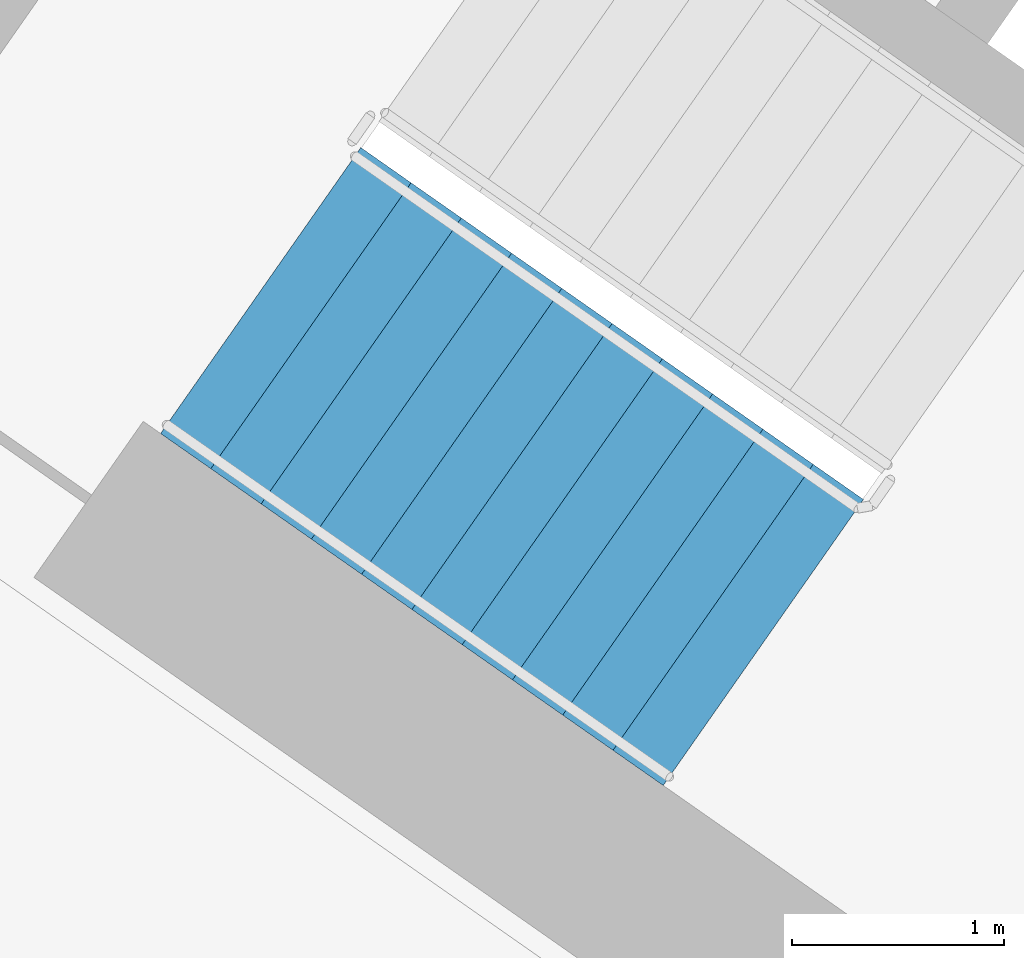
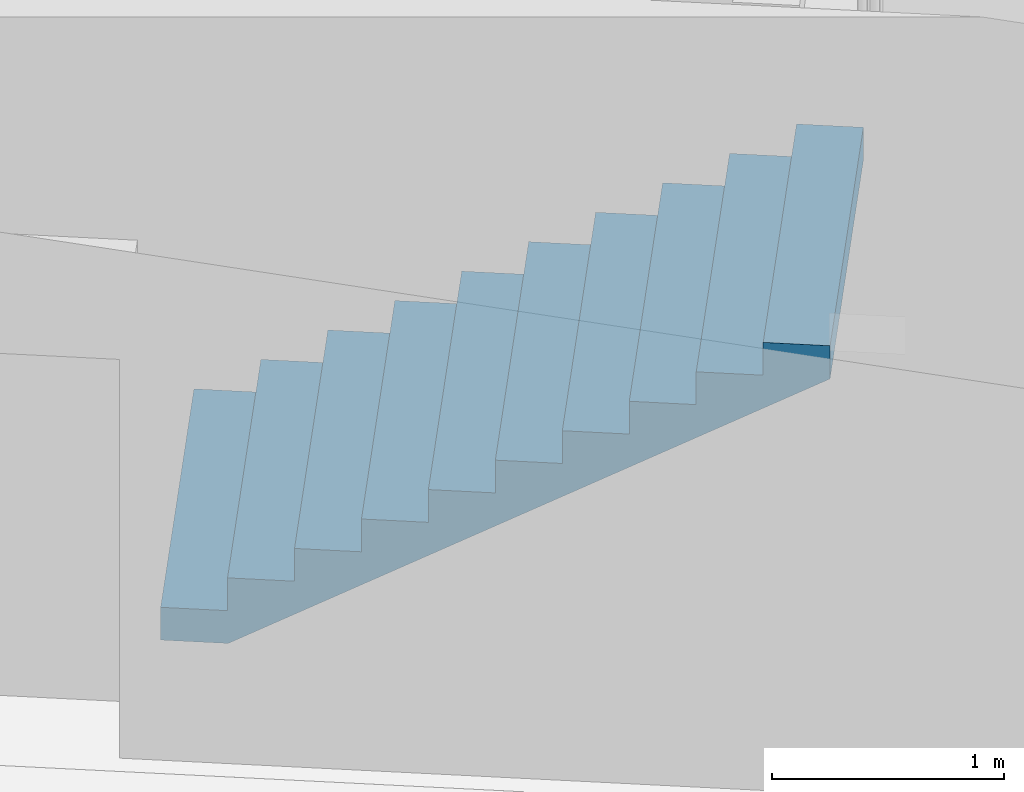
# One storey, part 10 of 31: 1 stair flight, 1 element without a shape of its own.
"""IFC4 building model written with IfcOpenShell, lengths in metres."""

from ifc_helpers import new_model, si_unit, direction, frame, origin, place, context, subcontext, project, spatial, faceted_brep, material, type_object, element, aggregate, save


model = new_model("IFC4")

# Units and contexts
model_context = context("Model", 3, precision=1e-05, world=origin(), true_north=direction((0.0, 1.0)))
body_context = subcontext(model_context, "Body", "Model", "MODEL_VIEW")
ifc_project = project(units=[si_unit("LENGTHUNIT", "METRE"), si_unit("AREAUNIT", "SQUARE_METRE"), si_unit("VOLUMEUNIT", "CUBIC_METRE"), si_unit("PLANEANGLEUNIT", "RADIAN"), si_unit("MASSUNIT", "GRAM", prefix="KILO")], contexts=[model_context])

# Site, building, storey
site_placement = place(None, origin())
site = spatial("IfcSite", under=ifc_project, at=site_placement, CompositionType="ELEMENT")
building_placement = place(site_placement, origin())
building = spatial("IfcBuilding", under=site, at=building_placement, Name="Qamariyya Broadcast Tower", CompositionType="ELEMENT")
storey_placement = place(building_placement, frame((0.0, 0.0, 51.89990234375)))
storey = spatial("IfcBuildingStorey", under=building, at=storey_placement, Name="L09", CompositionType="ELEMENT", Elevation=51.89990234375)

# Stair, stair flight
ifc_material = material(Name="Concrete C50/60", Category="concrete")
stair_type = type_object("IfcStairType", Name="Exit stair 22 risers of 173 mm", PredefinedType="HALF_TURN_STAIR", material=ifc_material)
stair_placement = place(storey_placement, origin())
stair = element("IfcStair", 1, at=stair_placement, inside=storey, type_object=stair_type, Name="L09 Stair W1", PredefinedType="HALF_TURN_STAIR")
stair_flight_type = type_object("IfcStairFlightType", Name="Exit stair flight 11 risers of 173 mm", PredefinedType="STRAIGHT", material=ifc_material)
stair_flight_placement = place(storey_placement, frame((-47.06884765625, -56.982666015625, 0.0), z_axis=(0.0, 0.0, 1.0), x_axis=(0.819152044289, -0.573576436351, 0.0)))
stair_flight = element("IfcStairFlight", 2, at=stair_flight_placement, type_object=stair_flight_type, Name="ST-W1 flight 1", NumberOfRisers=11, NumberOfTreads=10, PredefinedType="STRAIGHT", RiserHeight=0.172727273, TreadLength=0.29, context=body_context, shape_type="Brep", body=[
    faceted_brep([(0.0, 0.824951171875, 0.0), (0.0, 0.824951171875, 0.172607421875), (0.2900390625, 0.824951171875, 0.172607421875), (0.2900390625, 0.824951171875, 0.345458984375), (0.580078125, 0.824951171875, 0.345458984375), (0.580078125, 0.824951171875, 0.51806640625), (0.8701171875, 0.824951171875, 0.51806640625), (0.8701171875, 0.824951171875, 0.69091796875), (1.159912109375, 0.824951171875, 0.69091796875), (1.159912109375, 0.824951171875, 0.863525390625), (1.449951171875, 0.824951171875, 0.863525390625), (1.449951171875, 0.824951171875, 1.036376953125), (1.739990234375, 0.824951171875, 1.036376953125), (1.739990234375, 0.824951171875, 1.208984375), (2.030029296875, 0.824951171875, 1.208984375), (2.030029296875, 0.824951171875, 1.3818359375), (2.320068359375, 0.824951171875, 1.3818359375), (2.320068359375, 0.824951171875, 1.554443359375), (2.610107421875, 0.824951171875, 1.554443359375), (2.610107421875, 0.824951171875, 1.727294921875), (2.89990234375, 0.824951171875, 1.727294921875), (2.89990234375, 0.824951171875, 1.552734375), (0.29296875, 0.824951171875, 0.0), (0.29296875, -0.824951171875, 0.0), (2.89990234375, -0.824951171875, 1.552734375), (2.89990234375, -0.824951171875, 1.727294921875), (2.610107421875, -0.824951171875, 1.727294921875), (2.610107421875, -0.824951171875, 1.554443359375), (2.320068359375, -0.824951171875, 1.554443359375), (2.320068359375, -0.824951171875, 1.3818359375), (2.030029296875, -0.824951171875, 1.3818359375), (2.030029296875, -0.824951171875, 1.208984375), (1.739990234375, -0.824951171875, 1.208984375), (1.739990234375, -0.824951171875, 1.036376953125), (1.449951171875, -0.824951171875, 1.036376953125), (1.449951171875, -0.824951171875, 0.863525390625), (1.159912109375, -0.824951171875, 0.863525390625), (1.159912109375, -0.824951171875, 0.69091796875), (0.8701171875, -0.824951171875, 0.69091796875), (0.8701171875, -0.824951171875, 0.51806640625), (0.580078125, -0.824951171875, 0.51806640625), (0.580078125, -0.824951171875, 0.345458984375), (0.2900390625, -0.824951171875, 0.345458984375), (0.2900390625, -0.824951171875, 0.172607421875), (0.0, -0.824951171875, 0.172607421875), (0.0, -0.824951171875, 0.0), (0.0, 0.10009765625, 0.0), (0.0, 0.086669921875, 0.0), (0.0, 0.0732421875, 0.0), (0.0, 0.06005859375, 0.0), (0.0, 0.046630859375, 0.0), (0.0, 0.033447265625, 0.0), (0.0, 0.02001953125, 0.0), (0.0, 0.006591796875, 0.0), (0.0, -0.006591796875, 0.0), (0.0, -0.02001953125, 0.0), (0.0, -0.033447265625, 0.0), (0.0, -0.046630859375, 0.0), (0.0, -0.06005859375, 0.0), (0.0, -0.0732421875, 0.0), (0.0, -0.086669921875, 0.0), (0.0, -0.10009765625, 0.0), (0.0, -0.10009765625, 0.172607421875), (0.0, -0.086669921875, 0.172607421875), (0.0, -0.0732421875, 0.172607421875), (0.0, -0.06005859375, 0.172607421875), (0.0, -0.046630859375, 0.172607421875), (0.0, -0.033447265625, 0.172607421875), (0.0, -0.02001953125, 0.172607421875), (0.0, -0.006591796875, 0.172607421875), (0.0, 0.006591796875, 0.172607421875), (0.0, 0.02001953125, 0.172607421875), (0.0, 0.033447265625, 0.172607421875), (0.0, 0.046630859375, 0.172607421875), (0.0, 0.06005859375, 0.172607421875), (0.0, 0.0732421875, 0.172607421875), (0.0, 0.086669921875, 0.172607421875), (0.0, 0.10009765625, 0.172607421875), (0.2900390625, -0.10009765625, 0.172607421875), (0.2900390625, -0.086669921875, 0.172607421875), (0.2900390625, -0.0732421875, 0.172607421875), (0.2900390625, -0.06005859375, 0.172607421875), (0.2900390625, -0.046630859375, 0.172607421875), (0.2900390625, -0.033447265625, 0.172607421875), (0.2900390625, -0.02001953125, 0.172607421875), (0.2900390625, -0.006591796875, 0.172607421875), (0.2900390625, 0.006591796875, 0.172607421875), (0.2900390625, 0.02001953125, 0.172607421875), (0.2900390625, 0.033447265625, 0.172607421875), (0.2900390625, 0.046630859375, 0.172607421875), (0.2900390625, 0.06005859375, 0.172607421875), (0.2900390625, 0.0732421875, 0.172607421875), (0.2900390625, 0.086669921875, 0.172607421875), (0.2900390625, 0.10009765625, 0.172607421875), (0.2900390625, -0.10009765625, 0.345458984375), (0.2900390625, -0.086669921875, 0.345458984375), (0.2900390625, -0.0732421875, 0.345458984375), (0.2900390625, -0.06005859375, 0.345458984375), (0.2900390625, -0.046630859375, 0.345458984375), (0.2900390625, -0.033447265625, 0.345458984375), (0.2900390625, -0.02001953125, 0.345458984375), (0.2900390625, -0.006591796875, 0.345458984375), (0.2900390625, 0.006591796875, 0.345458984375), (0.2900390625, 0.02001953125, 0.345458984375), (0.2900390625, 0.033447265625, 0.345458984375), (0.2900390625, 0.046630859375, 0.345458984375), (0.2900390625, 0.06005859375, 0.345458984375), (0.2900390625, 0.0732421875, 0.345458984375), (0.2900390625, 0.086669921875, 0.345458984375), (0.2900390625, 0.10009765625, 0.345458984375), (0.580078125, -0.10009765625, 0.345458984375), (0.580078125, -0.086669921875, 0.345458984375), (0.580078125, -0.0732421875, 0.345458984375), (0.580078125, -0.06005859375, 0.345458984375), (0.580078125, -0.046630859375, 0.345458984375), (0.580078125, -0.033447265625, 0.345458984375), (0.580078125, -0.02001953125, 0.345458984375), (0.580078125, -0.006591796875, 0.345458984375), (0.580078125, 0.006591796875, 0.345458984375), (0.580078125, 0.02001953125, 0.345458984375), (0.580078125, 0.033447265625, 0.345458984375), (0.580078125, 0.046630859375, 0.345458984375), (0.580078125, 0.06005859375, 0.345458984375), (0.580078125, 0.0732421875, 0.345458984375), (0.580078125, 0.086669921875, 0.345458984375), (0.580078125, 0.10009765625, 0.345458984375), (0.580078125, -0.10009765625, 0.51806640625), (0.580078125, -0.086669921875, 0.51806640625), (0.580078125, -0.0732421875, 0.51806640625), (0.580078125, -0.06005859375, 0.51806640625), (0.580078125, -0.046630859375, 0.51806640625), (0.580078125, -0.033447265625, 0.51806640625), (0.580078125, -0.02001953125, 0.51806640625), (0.580078125, -0.006591796875, 0.51806640625), (0.580078125, 0.006591796875, 0.51806640625), (0.580078125, 0.02001953125, 0.51806640625), (0.580078125, 0.033447265625, 0.51806640625), (0.580078125, 0.046630859375, 0.51806640625), (0.580078125, 0.06005859375, 0.51806640625), (0.580078125, 0.0732421875, 0.51806640625), (0.580078125, 0.086669921875, 0.51806640625), (0.580078125, 0.10009765625, 0.51806640625), (0.8701171875, -0.10009765625, 0.51806640625), (0.8701171875, -0.086669921875, 0.51806640625), (0.8701171875, -0.0732421875, 0.51806640625), (0.8701171875, -0.06005859375, 0.51806640625), (0.8701171875, -0.046630859375, 0.51806640625), (0.8701171875, -0.033447265625, 0.51806640625), (0.8701171875, -0.02001953125, 0.51806640625), (0.8701171875, -0.006591796875, 0.51806640625), (0.8701171875, 0.006591796875, 0.51806640625), (0.8701171875, 0.02001953125, 0.51806640625), (0.8701171875, 0.033447265625, 0.51806640625), (0.8701171875, 0.046630859375, 0.51806640625), (0.8701171875, 0.06005859375, 0.51806640625), (0.8701171875, 0.0732421875, 0.51806640625), (0.8701171875, 0.086669921875, 0.51806640625), (0.8701171875, 0.10009765625, 0.51806640625), (0.8701171875, -0.10009765625, 0.69091796875), (0.8701171875, -0.086669921875, 0.69091796875), (0.8701171875, -0.0732421875, 0.69091796875), (0.8701171875, -0.06005859375, 0.69091796875), (0.8701171875, -0.046630859375, 0.69091796875), (0.8701171875, -0.033447265625, 0.69091796875), (0.8701171875, -0.02001953125, 0.69091796875), (0.8701171875, -0.006591796875, 0.69091796875), (0.8701171875, 0.006591796875, 0.69091796875), (0.8701171875, 0.02001953125, 0.69091796875), (0.8701171875, 0.033447265625, 0.69091796875), (0.8701171875, 0.046630859375, 0.69091796875), (0.8701171875, 0.06005859375, 0.69091796875), (0.8701171875, 0.0732421875, 0.69091796875), (0.8701171875, 0.086669921875, 0.69091796875), (0.8701171875, 0.10009765625, 0.69091796875), (1.159912109375, -0.10009765625, 0.69091796875), (1.159912109375, -0.086669921875, 0.69091796875), (1.159912109375, -0.0732421875, 0.69091796875), (1.159912109375, -0.06005859375, 0.69091796875), (1.159912109375, -0.046630859375, 0.69091796875), (1.159912109375, -0.033447265625, 0.69091796875), (1.159912109375, -0.02001953125, 0.69091796875), (1.159912109375, -0.006591796875, 0.69091796875), (1.159912109375, 0.006591796875, 0.69091796875), (1.159912109375, 0.02001953125, 0.69091796875), (1.159912109375, 0.033447265625, 0.69091796875), (1.159912109375, 0.046630859375, 0.69091796875), (1.159912109375, 0.06005859375, 0.69091796875), (1.159912109375, 0.0732421875, 0.69091796875), (1.159912109375, 0.086669921875, 0.69091796875), (1.159912109375, 0.10009765625, 0.69091796875), (1.159912109375, -0.10009765625, 0.863525390625), (1.159912109375, -0.086669921875, 0.863525390625), (1.159912109375, -0.0732421875, 0.863525390625), (1.159912109375, -0.06005859375, 0.863525390625), (1.159912109375, -0.046630859375, 0.863525390625), (1.159912109375, -0.033447265625, 0.863525390625), (1.159912109375, -0.02001953125, 0.863525390625), (1.159912109375, -0.006591796875, 0.863525390625), (1.159912109375, 0.006591796875, 0.863525390625), (1.159912109375, 0.02001953125, 0.863525390625), (1.159912109375, 0.033447265625, 0.863525390625), (1.159912109375, 0.046630859375, 0.863525390625), (1.159912109375, 0.06005859375, 0.863525390625), (1.159912109375, 0.0732421875, 0.863525390625), (1.159912109375, 0.086669921875, 0.863525390625), (1.159912109375, 0.10009765625, 0.863525390625), (1.449951171875, -0.10009765625, 0.863525390625), (1.449951171875, -0.086669921875, 0.863525390625), (1.449951171875, -0.0732421875, 0.863525390625), (1.449951171875, -0.06005859375, 0.863525390625), (1.449951171875, -0.046630859375, 0.863525390625), (1.449951171875, -0.033447265625, 0.863525390625), (1.449951171875, -0.02001953125, 0.863525390625), (1.449951171875, -0.006591796875, 0.863525390625), (1.449951171875, 0.006591796875, 0.863525390625), (1.449951171875, 0.02001953125, 0.863525390625), (1.449951171875, 0.033447265625, 0.863525390625), (1.449951171875, 0.046630859375, 0.863525390625), (1.449951171875, 0.06005859375, 0.863525390625), (1.449951171875, 0.0732421875, 0.863525390625), (1.449951171875, 0.086669921875, 0.863525390625), (1.449951171875, 0.10009765625, 0.863525390625), (1.449951171875, -0.10009765625, 1.036376953125), (1.449951171875, -0.086669921875, 1.036376953125), (1.449951171875, -0.0732421875, 1.036376953125), (1.449951171875, -0.06005859375, 1.036376953125), (1.449951171875, -0.046630859375, 1.036376953125), (1.449951171875, -0.033447265625, 1.036376953125), (1.449951171875, -0.02001953125, 1.036376953125), (1.449951171875, -0.006591796875, 1.036376953125), (1.449951171875, 0.006591796875, 1.036376953125), (1.449951171875, 0.02001953125, 1.036376953125), (1.449951171875, 0.033447265625, 1.036376953125), (1.449951171875, 0.046630859375, 1.036376953125), (1.449951171875, 0.06005859375, 1.036376953125), (1.449951171875, 0.0732421875, 1.036376953125), (1.449951171875, 0.086669921875, 1.036376953125), (1.449951171875, 0.10009765625, 1.036376953125), (1.739990234375, -0.10009765625, 1.036376953125), (1.739990234375, -0.086669921875, 1.036376953125), (1.739990234375, -0.0732421875, 1.036376953125), (1.739990234375, -0.06005859375, 1.036376953125), (1.739990234375, -0.046630859375, 1.036376953125), (1.739990234375, -0.033447265625, 1.036376953125), (1.739990234375, -0.02001953125, 1.036376953125), (1.739990234375, -0.006591796875, 1.036376953125), (1.739990234375, 0.006591796875, 1.036376953125), (1.739990234375, 0.02001953125, 1.036376953125), (1.739990234375, 0.033447265625, 1.036376953125), (1.739990234375, 0.046630859375, 1.036376953125), (1.739990234375, 0.06005859375, 1.036376953125), (1.739990234375, 0.0732421875, 1.036376953125), (1.739990234375, 0.086669921875, 1.036376953125), (1.739990234375, 0.10009765625, 1.036376953125), (1.739990234375, -0.10009765625, 1.208984375), (1.739990234375, -0.086669921875, 1.208984375), (1.739990234375, -0.0732421875, 1.208984375), (1.739990234375, -0.06005859375, 1.208984375), (1.739990234375, -0.046630859375, 1.208984375), (1.739990234375, -0.033447265625, 1.208984375), (1.739990234375, -0.02001953125, 1.208984375), (1.739990234375, -0.006591796875, 1.208984375), (1.739990234375, 0.006591796875, 1.208984375), (1.739990234375, 0.02001953125, 1.208984375), (1.739990234375, 0.033447265625, 1.208984375), (1.739990234375, 0.046630859375, 1.208984375), (1.739990234375, 0.06005859375, 1.208984375), (1.739990234375, 0.0732421875, 1.208984375), (1.739990234375, 0.086669921875, 1.208984375), (1.739990234375, 0.10009765625, 1.208984375), (2.030029296875, -0.10009765625, 1.208984375), (2.030029296875, -0.086669921875, 1.208984375), (2.030029296875, -0.0732421875, 1.208984375), (2.030029296875, -0.06005859375, 1.208984375), (2.030029296875, -0.046630859375, 1.208984375), (2.030029296875, -0.033447265625, 1.208984375), (2.030029296875, -0.02001953125, 1.208984375), (2.030029296875, -0.006591796875, 1.208984375), (2.030029296875, 0.006591796875, 1.208984375), (2.030029296875, 0.02001953125, 1.208984375), (2.030029296875, 0.033447265625, 1.208984375), (2.030029296875, 0.046630859375, 1.208984375), (2.030029296875, 0.06005859375, 1.208984375), (2.030029296875, 0.0732421875, 1.208984375), (2.030029296875, 0.086669921875, 1.208984375), (2.030029296875, 0.10009765625, 1.208984375), (2.030029296875, -0.10009765625, 1.3818359375), (2.030029296875, -0.086669921875, 1.3818359375), (2.030029296875, -0.0732421875, 1.3818359375), (2.030029296875, -0.06005859375, 1.3818359375), (2.030029296875, -0.046630859375, 1.3818359375), (2.030029296875, -0.033447265625, 1.3818359375), (2.030029296875, -0.02001953125, 1.3818359375), (2.030029296875, -0.006591796875, 1.3818359375), (2.030029296875, 0.006591796875, 1.3818359375), (2.030029296875, 0.02001953125, 1.3818359375), (2.030029296875, 0.033447265625, 1.3818359375), (2.030029296875, 0.046630859375, 1.3818359375), (2.030029296875, 0.06005859375, 1.3818359375), (2.030029296875, 0.0732421875, 1.3818359375), (2.030029296875, 0.086669921875, 1.3818359375), (2.030029296875, 0.10009765625, 1.3818359375), (2.320068359375, -0.10009765625, 1.3818359375), (2.320068359375, -0.086669921875, 1.3818359375), (2.320068359375, -0.0732421875, 1.3818359375), (2.320068359375, -0.06005859375, 1.3818359375), (2.320068359375, -0.046630859375, 1.3818359375), (2.320068359375, -0.033447265625, 1.3818359375), (2.320068359375, -0.02001953125, 1.3818359375), (2.320068359375, -0.006591796875, 1.3818359375), (2.320068359375, 0.006591796875, 1.3818359375), (2.320068359375, 0.02001953125, 1.3818359375), (2.320068359375, 0.033447265625, 1.3818359375), (2.320068359375, 0.046630859375, 1.3818359375), (2.320068359375, 0.06005859375, 1.3818359375), (2.320068359375, 0.0732421875, 1.3818359375), (2.320068359375, 0.086669921875, 1.3818359375), (2.320068359375, 0.10009765625, 1.3818359375), (2.320068359375, -0.10009765625, 1.554443359375), (2.320068359375, -0.086669921875, 1.554443359375), (2.320068359375, -0.0732421875, 1.554443359375), (2.320068359375, -0.06005859375, 1.554443359375), (2.320068359375, -0.046630859375, 1.554443359375), (2.320068359375, -0.033447265625, 1.554443359375), (2.320068359375, -0.02001953125, 1.554443359375), (2.320068359375, -0.006591796875, 1.554443359375), (2.320068359375, 0.006591796875, 1.554443359375), (2.320068359375, 0.02001953125, 1.554443359375), (2.320068359375, 0.033447265625, 1.554443359375), (2.320068359375, 0.046630859375, 1.554443359375), (2.320068359375, 0.06005859375, 1.554443359375), (2.320068359375, 0.0732421875, 1.554443359375), (2.320068359375, 0.086669921875, 1.554443359375), (2.320068359375, 0.10009765625, 1.554443359375), (2.610107421875, -0.10009765625, 1.554443359375), (2.610107421875, -0.086669921875, 1.554443359375), (2.610107421875, -0.0732421875, 1.554443359375), (2.610107421875, -0.06005859375, 1.554443359375), (2.610107421875, -0.046630859375, 1.554443359375), (2.610107421875, -0.033447265625, 1.554443359375), (2.610107421875, -0.02001953125, 1.554443359375), (2.610107421875, -0.006591796875, 1.554443359375), (2.610107421875, 0.006591796875, 1.554443359375), (2.610107421875, 0.02001953125, 1.554443359375), (2.610107421875, 0.033447265625, 1.554443359375), (2.610107421875, 0.046630859375, 1.554443359375), (2.610107421875, 0.06005859375, 1.554443359375), (2.610107421875, 0.0732421875, 1.554443359375), (2.610107421875, 0.086669921875, 1.554443359375), (2.610107421875, 0.10009765625, 1.554443359375), (2.610107421875, -0.10009765625, 1.727294921875), (2.610107421875, -0.086669921875, 1.727294921875), (2.610107421875, -0.0732421875, 1.727294921875), (2.610107421875, -0.06005859375, 1.727294921875), (2.610107421875, -0.046630859375, 1.727294921875), (2.610107421875, -0.033447265625, 1.727294921875), (2.610107421875, -0.02001953125, 1.727294921875), (2.610107421875, -0.006591796875, 1.727294921875), (2.610107421875, 0.006591796875, 1.727294921875), (2.610107421875, 0.02001953125, 1.727294921875), (2.610107421875, 0.033447265625, 1.727294921875), (2.610107421875, 0.046630859375, 1.727294921875), (2.610107421875, 0.06005859375, 1.727294921875), (2.610107421875, 0.0732421875, 1.727294921875), (2.610107421875, 0.086669921875, 1.727294921875), (2.610107421875, 0.10009765625, 1.727294921875), (2.89990234375, -0.10009765625, 1.727294921875), (2.89990234375, -0.086669921875, 1.727294921875), (2.89990234375, -0.0732421875, 1.727294921875), (2.89990234375, -0.06005859375, 1.727294921875), (2.89990234375, -0.046630859375, 1.727294921875), (2.89990234375, -0.033447265625, 1.727294921875), (2.89990234375, -0.02001953125, 1.727294921875), (2.89990234375, -0.006591796875, 1.727294921875), (2.89990234375, 0.006591796875, 1.727294921875), (2.89990234375, 0.02001953125, 1.727294921875), (2.89990234375, 0.033447265625, 1.727294921875), (2.89990234375, 0.046630859375, 1.727294921875), (2.89990234375, 0.06005859375, 1.727294921875), (2.89990234375, 0.0732421875, 1.727294921875), (2.89990234375, 0.086669921875, 1.727294921875), (2.89990234375, 0.10009765625, 1.727294921875), (2.89990234375, -0.10009765625, 1.552734375), (2.89990234375, -0.086669921875, 1.552734375), (2.89990234375, -0.0732421875, 1.552734375), (2.89990234375, -0.06005859375, 1.552734375), (2.89990234375, -0.046630859375, 1.552734375), (2.89990234375, -0.033447265625, 1.552734375), (2.89990234375, -0.02001953125, 1.552734375), (2.89990234375, -0.006591796875, 1.552734375), (2.89990234375, 0.006591796875, 1.552734375), (2.89990234375, 0.02001953125, 1.552734375), (2.89990234375, 0.033447265625, 1.552734375), (2.89990234375, 0.046630859375, 1.552734375), (2.89990234375, 0.06005859375, 1.552734375), (2.89990234375, 0.0732421875, 1.552734375), (2.89990234375, 0.086669921875, 1.552734375), (2.89990234375, 0.10009765625, 1.552734375), (0.29296875, -0.10009765625, 0.0), (0.29296875, -0.086669921875, 0.0), (0.29296875, -0.0732421875, 0.0), (0.29296875, -0.06005859375, 0.0), (0.29296875, -0.046630859375, 0.0), (0.29296875, -0.033447265625, 0.0), (0.29296875, -0.02001953125, 0.0), (0.29296875, -0.006591796875, 0.0), (0.29296875, 0.006591796875, 0.0), (0.29296875, 0.02001953125, 0.0), (0.29296875, 0.033447265625, 0.0), (0.29296875, 0.046630859375, 0.0), (0.29296875, 0.06005859375, 0.0), (0.29296875, 0.0732421875, 0.0), (0.29296875, 0.086669921875, 0.0), (0.29296875, 0.10009765625, 0.0)], [[[0, 1, 2, 3, 4, 5, 6, 7, 8, 9, 10, 11, 12, 13, 14, 15, 16, 17, 18, 19, 20, 21, 22]], [[23, 24, 25, 26, 27, 28, 29, 30, 31, 32, 33, 34, 35, 36, 37, 38, 39, 40, 41, 42, 43, 44, 45]], [[0, 46, 47, 48, 49, 50, 51, 52, 53, 54, 55, 56, 57, 58, 59, 60, 61, 45, 44, 62, 63, 64, 65, 66, 67, 68, 69, 70, 71, 72, 73, 74, 75, 76, 77, 1]], [[1, 77, 76, 75, 74, 73, 72, 71, 70, 69, 68, 67, 66, 65, 64, 63, 62, 44, 43, 78, 79, 80, 81, 82, 83, 84, 85, 86, 87, 88, 89, 90, 91, 92, 93, 2]], [[2, 93, 92, 91, 90, 89, 88, 87, 86, 85, 84, 83, 82, 81, 80, 79, 78, 43, 42, 94, 95, 96, 97, 98, 99, 100, 101, 102, 103, 104, 105, 106, 107, 108, 109, 3]], [[3, 109, 108, 107, 106, 105, 104, 103, 102, 101, 100, 99, 98, 97, 96, 95, 94, 42, 41, 110, 111, 112, 113, 114, 115, 116, 117, 118, 119, 120, 121, 122, 123, 124, 125, 4]], [[4, 125, 124, 123, 122, 121, 120, 119, 118, 117, 116, 115, 114, 113, 112, 111, 110, 41, 40, 126, 127, 128, 129, 130, 131, 132, 133, 134, 135, 136, 137, 138, 139, 140, 141, 5]], [[5, 141, 140, 139, 138, 137, 136, 135, 134, 133, 132, 131, 130, 129, 128, 127, 126, 40, 39, 142, 143, 144, 145, 146, 147, 148, 149, 150, 151, 152, 153, 154, 155, 156, 157, 6]], [[6, 157, 156, 155, 154, 153, 152, 151, 150, 149, 148, 147, 146, 145, 144, 143, 142, 39, 38, 158, 159, 160, 161, 162, 163, 164, 165, 166, 167, 168, 169, 170, 171, 172, 173, 7]], [[7, 173, 172, 171, 170, 169, 168, 167, 166, 165, 164, 163, 162, 161, 160, 159, 158, 38, 37, 174, 175, 176, 177, 178, 179, 180, 181, 182, 183, 184, 185, 186, 187, 188, 189, 8]], [[8, 189, 188, 187, 186, 185, 184, 183, 182, 181, 180, 179, 178, 177, 176, 175, 174, 37, 36, 190, 191, 192, 193, 194, 195, 196, 197, 198, 199, 200, 201, 202, 203, 204, 205, 9]], [[9, 205, 204, 203, 202, 201, 200, 199, 198, 197, 196, 195, 194, 193, 192, 191, 190, 36, 35, 206, 207, 208, 209, 210, 211, 212, 213, 214, 215, 216, 217, 218, 219, 220, 221, 10]], [[10, 221, 220, 219, 218, 217, 216, 215, 214, 213, 212, 211, 210, 209, 208, 207, 206, 35, 34, 222, 223, 224, 225, 226, 227, 228, 229, 230, 231, 232, 233, 234, 235, 236, 237, 11]], [[11, 237, 236, 235, 234, 233, 232, 231, 230, 229, 228, 227, 226, 225, 224, 223, 222, 34, 33, 238, 239, 240, 241, 242, 243, 244, 245, 246, 247, 248, 249, 250, 251, 252, 253, 12]], [[12, 253, 252, 251, 250, 249, 248, 247, 246, 245, 244, 243, 242, 241, 240, 239, 238, 33, 32, 254, 255, 256, 257, 258, 259, 260, 261, 262, 263, 264, 265, 266, 267, 268, 269, 13]], [[13, 269, 268, 267, 266, 265, 264, 263, 262, 261, 260, 259, 258, 257, 256, 255, 254, 32, 31, 270, 271, 272, 273, 274, 275, 276, 277, 278, 279, 280, 281, 282, 283, 284, 285, 14]], [[14, 285, 284, 283, 282, 281, 280, 279, 278, 277, 276, 275, 274, 273, 272, 271, 270, 31, 30, 286, 287, 288, 289, 290, 291, 292, 293, 294, 295, 296, 297, 298, 299, 300, 301, 15]], [[15, 301, 300, 299, 298, 297, 296, 295, 294, 293, 292, 291, 290, 289, 288, 287, 286, 30, 29, 302, 303, 304, 305, 306, 307, 308, 309, 310, 311, 312, 313, 314, 315, 316, 317, 16]], [[16, 317, 316, 315, 314, 313, 312, 311, 310, 309, 308, 307, 306, 305, 304, 303, 302, 29, 28, 318, 319, 320, 321, 322, 323, 324, 325, 326, 327, 328, 329, 330, 331, 332, 333, 17]], [[17, 333, 332, 331, 330, 329, 328, 327, 326, 325, 324, 323, 322, 321, 320, 319, 318, 28, 27, 334, 335, 336, 337, 338, 339, 340, 341, 342, 343, 344, 345, 346, 347, 348, 349, 18]], [[18, 349, 348, 347, 346, 345, 344, 343, 342, 341, 340, 339, 338, 337, 336, 335, 334, 27, 26, 350, 351, 352, 353, 354, 355, 356, 357, 358, 359, 360, 361, 362, 363, 364, 365, 19]], [[19, 365, 364, 363, 362, 361, 360, 359, 358, 357, 356, 355, 354, 353, 352, 351, 350, 26, 25, 366, 367, 368, 369, 370, 371, 372, 373, 374, 375, 376, 377, 378, 379, 380, 381, 20]], [[20, 381, 380, 379, 378, 377, 376, 375, 374, 373, 372, 371, 370, 369, 368, 367, 366, 25, 24, 382, 383, 384, 385, 386, 387, 388, 389, 390, 391, 392, 393, 394, 395, 396, 397, 21]], [[21, 397, 396, 395, 394, 393, 392, 391, 390, 389, 388, 387, 386, 385, 384, 383, 382, 24, 23, 398, 399, 400, 401, 402, 403, 404, 405, 406, 407, 408, 409, 410, 411, 412, 413, 22]], [[22, 413, 412, 411, 410, 409, 408, 407, 406, 405, 404, 403, 402, 401, 400, 399, 398, 23, 45, 61, 60, 59, 58, 57, 56, 55, 54, 53, 52, 51, 50, 49, 48, 47, 46, 0]]]),
])
aggregate(stair, [stair_flight])

save(model, "model.ifc")
